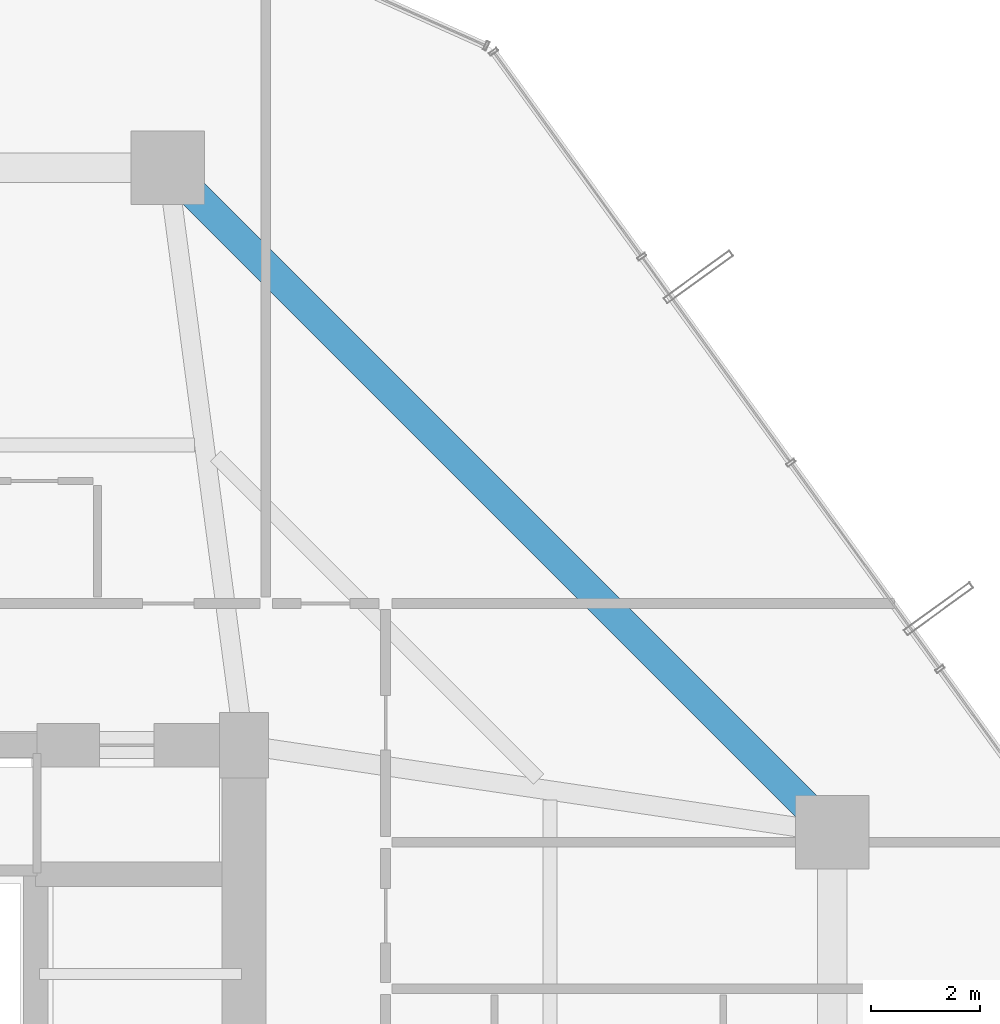
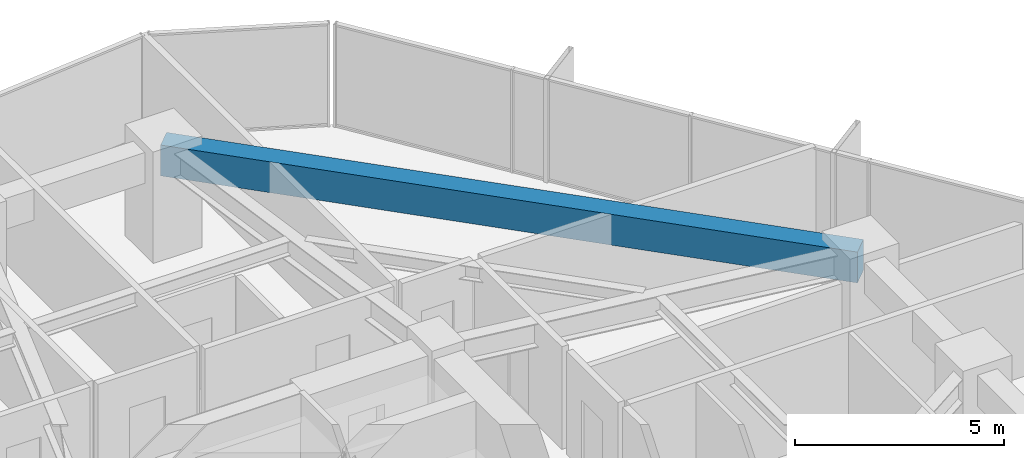
# One storey, part 28 of 37: 1 beam.
"""IFC4 building model written with IfcOpenShell, lengths in metres."""

import ifcopenshell
import ifcopenshell.guid

model = None  # the IFC model being written
_history = None  # IfcOwnerHistory: only IFC2X3 demands one
_inside = {}  # id of a spatial element -> (the spatial element, [elements in it])
_under = {}  # id of a project, library or spatial element -> (it, [spatial elements below it])
_declared = {}  # id of a project -> (the project, [libraries it declares])
_typed = {}  # id of a type object -> (the type object, [elements of that type])
_made_of = {}  # id of a material, layer set ... -> (it, [elements and type objects made of it])


def new_model(schema):
    """Start an empty IFC model of exactly this schema.

    Asked for "IFC4X3", IfcOpenShell would pick the latest addendum, in which some entities
    have other attributes; the version numbers below select the first issue.
    IFC2X3 requires an IfcOwnerHistory on every rooted entity: one is made here for all.
    """
    global model, _history
    if schema == "IFC4X3":
        model = ifcopenshell.file(schema_version=(4, 3, 0, 0))
    else:
        model = ifcopenshell.file(schema=schema)
    _inside.clear()
    _under.clear()
    _declared.clear()
    _typed.clear()
    _made_of.clear()
    _history = None
    if model.schema == "IFC2X3":
        org = make("IfcOrganization", Name="unknown")
        user = make(
            "IfcPersonAndOrganization",
            ThePerson=make("IfcPerson", FamilyName="unknown"),
            TheOrganization=org,
        )
        app = make(
            "IfcApplication",
            ApplicationDeveloper=org,
            Version="unknown",
            ApplicationFullName="unknown",
            ApplicationIdentifier="unknown",
        )
        _history = make(
            "IfcOwnerHistory",
            OwningUser=user,
            OwningApplication=app,
            ChangeAction="ADDED",
            CreationDate=0,
        )
    return model


def make(cls, **values):
    """One entity of the class cls with the attributes given. An attribute that is None is left unset."""
    return model.create_entity(
        cls, **{name: value for name, value in values.items() if value is not None}
    )


def rooted(cls, **values):
    """An entity with a GlobalId (a new one), such as an element, a storey or a relation."""
    return make(cls, GlobalId=ifcopenshell.guid.new(), OwnerHistory=_history, **values)


def si_unit(unit_type, name, prefix=None):
    """IfcSIUnit, for example si_unit("LENGTHUNIT", "METRE", prefix="MILLI")."""
    return make("IfcSIUnit", UnitType=unit_type, Prefix=prefix, Name=name)


def assignment(units):
    """IfcUnitAssignment: the units of a project."""
    return None if units is None else make("IfcUnitAssignment", Units=units)


def point(xyz):
    """IfcCartesianPoint."""
    return None if xyz is None else make("IfcCartesianPoint", Coordinates=xyz)


def direction(xyz):
    """IfcDirection."""
    return None if xyz is None else make("IfcDirection", DirectionRatios=xyz)


def frame(location, z_axis=None, x_axis=None):
    """IfcAxis2Placement3D, a coordinate frame: its origin and axes. An axis left out is left unset."""
    return make(
        "IfcAxis2Placement3D",
        Location=point(location),
        Axis=direction(z_axis),
        RefDirection=direction(x_axis),
    )


def frame_2d(location, x_axis=None):
    """IfcAxis2Placement2D, a coordinate frame in the plane: its origin and x axis."""
    return make(
        "IfcAxis2Placement2D", Location=point(location), RefDirection=direction(x_axis)
    )


def origin():
    """The frame at (0, 0, 0) with its axes left unset."""
    return frame((0.0, 0.0, 0.0))


def origin_2d():
    """The frame at (0, 0) in the plane with its x axis left unset."""
    return frame_2d((0.0, 0.0))


def place(relative_to, where):
    """IfcLocalPlacement: puts the frame where relative to a parent placement (None: the world)."""
    return make(
        "IfcLocalPlacement", PlacementRelTo=relative_to, RelativePlacement=where
    )


def context(
    kind, dimensions, precision=None, world=None, true_north=None, identifier=None
):
    """IfcGeometricRepresentationContext, for example the 3D "Model" context."""
    return make(
        "IfcGeometricRepresentationContext",
        ContextIdentifier=identifier,
        ContextType=kind,
        CoordinateSpaceDimension=dimensions,
        Precision=precision,
        WorldCoordinateSystem=world,
        TrueNorth=true_north,
    )


def subcontext(parent, identifier, kind, view, scale=None):
    """IfcGeometricRepresentationSubContext, for example "Body" below "Model"."""
    return make(
        "IfcGeometricRepresentationSubContext",
        ContextIdentifier=identifier,
        ContextType=kind,
        ParentContext=parent,
        TargetScale=scale,
        TargetView=view,
    )


def project(units=None, contexts=None):
    """IfcProject with its units and contexts."""
    return rooted(
        "IfcProject",
        Name="project",
        RepresentationContexts=contexts,
        UnitsInContext=assignment(units),
    )


def spatial(cls, under=None, at=None, **own):
    """A site, building, storey or space (cls), placed at a placement, below another one or the project."""
    s = rooted(cls, ObjectPlacement=at, **own)
    if under is not None:
        _under.setdefault(under.id(), (under, []))[1].append(s)
    return s


def profile(cls, at=None, kind="AREA", **sizes):
    """A parametric profile (cls). Its sizes go by their IFC names, for example OverallWidth=200.0."""
    return make(cls, ProfileType=kind, Position=at, **sizes)


def rectangle(**sizes):
    """IfcRectangleProfileDef."""
    return profile("IfcRectangleProfileDef", **sizes)


def extrude(swept, where, along, depth):
    """IfcExtrudedAreaSolid: the profile swept, set in the frame where, extruded along a direction by depth."""
    return make(
        "IfcExtrudedAreaSolid",
        SweptArea=swept,
        Position=where,
        ExtrudedDirection=direction(along),
        Depth=depth,
    )


def shape(context_of_items, identifier, shape_type, items):
    """IfcShapeRepresentation: the items that make up one representation, for example the "Body"."""
    return make(
        "IfcShapeRepresentation",
        ContextOfItems=context_of_items,
        RepresentationIdentifier=identifier,
        RepresentationType=shape_type,
        Items=items,
    )


def material(Name=None, Category=None):
    """IfcMaterial."""
    return make("IfcMaterial", Name=Name, Category=Category)


def material_profile(
    of_material, cross_section, Name=None, Category=None, Priority=None
):
    """IfcMaterialProfile: a cross section and its material."""
    return make(
        "IfcMaterialProfile",
        Name=Name,
        Material=of_material,
        Profile=cross_section,
        Priority=Priority,
        Category=Category,
    )


def profile_set(profiles, Name=None, composite=None):
    """IfcMaterialProfileSet."""
    return make(
        "IfcMaterialProfileSet",
        Name=Name,
        MaterialProfiles=profiles,
        CompositeProfile=composite,
    )


def made_of(thing, what):
    """Note that an element or type object is made of a material, layer set ...; save() writes the relation."""
    if what is not None:
        _made_of.setdefault(what.id(), (what, []))[1].append(thing)
    return thing


def type_object(cls, material=None, **own):
    """A type object (cls), such as IfcWallType, which elements share."""
    return made_of(rooted(cls, **own), material)


def element(
    cls,
    number,
    at=None,
    inside=None,
    cuts=None,
    type_object=None,
    material=None,
    context=None,
    identifier="Body",
    shape_type=None,
    held_by="IfcProductDefinitionShape",
    body=None,
    shapes=None,
    **own,
):
    """One element of the class cls, such as IfcWall. Its Tag is "e" and its number.

    at: its placement. inside: the storey or other place that contains it. cuts: it is an
    opening in that element (IfcRelVoidsElement). A single representation is given by context,
    identifier, shape_type and body (its items); several are given by shapes. held_by: the class
    of the entity that holds the representations. save() writes the other relations.
    """
    e = rooted(cls, Tag="e%d" % number, ObjectPlacement=at, **own)
    if body is not None:
        shapes = [shape(context, identifier, shape_type, body)]
    if shapes is not None:
        e.Representation = make(held_by, Representations=shapes)
    if inside is not None:
        _inside.setdefault(inside.id(), (inside, []))[1].append(e)
    if cuts is not None:
        rooted(
            "IfcRelVoidsElement", RelatingBuildingElement=cuts, RelatedOpeningElement=e
        )
    if type_object is not None:
        _typed.setdefault(type_object.id(), (type_object, []))[1].append(e)
    return made_of(e, material)


def aggregate(whole, parts):
    """IfcRelAggregates: a whole, such as a stair, and the parts it consists of."""
    return rooted("IfcRelAggregates", RelatingObject=whole, RelatedObjects=parts)


def save(model, path):
    """Write the relations noted so far, then the file.

    IfcRelAggregates (storeys below a building ...), IfcRelContainedInSpatialStructure (elements
    in a storey), IfcRelDefinesByType, IfcRelAssociatesMaterial and IfcRelDeclares: one each for
    every whole, place, type object, material and project.
    """
    for whole, parts in _under.values():
        aggregate(whole, parts)
    for where, things in _inside.values():
        rooted(
            "IfcRelContainedInSpatialStructure",
            RelatedElements=things,
            RelatingStructure=where,
        )
    for kind, things in _typed.values():
        rooted("IfcRelDefinesByType", RelatedObjects=things, RelatingType=kind)
    for what, things in _made_of.values():
        rooted("IfcRelAssociatesMaterial", RelatedObjects=things, RelatingMaterial=what)
    for by, libraries in _declared.values():
        rooted("IfcRelDeclares", RelatingContext=by, RelatedDefinitions=libraries)
    model.write(path)


model = new_model("IFC4")

# Units and contexts
model_context = context("Model", 3, precision=1e-05, world=origin(), true_north=direction((0.0, 1.0)))
body_context = subcontext(model_context, "Body", "Model", "MODEL_VIEW")
ifc_project = project(units=[si_unit("LENGTHUNIT", "METRE"), si_unit("AREAUNIT", "SQUARE_METRE"), si_unit("VOLUMEUNIT", "CUBIC_METRE"), si_unit("PLANEANGLEUNIT", "RADIAN"), si_unit("MASSUNIT", "GRAM", prefix="KILO")], contexts=[model_context])

# Site, building, storey
site_placement = place(None, origin())
site = spatial("IfcSite", under=ifc_project, at=site_placement, CompositionType="ELEMENT")
building_placement = place(site_placement, origin())
building = spatial("IfcBuilding", under=site, at=building_placement, Name="Veraguas Prism Commons", CompositionType="ELEMENT")
storey_placement = place(building_placement, frame((0.0, 0.0, 43.550048828125)))
storey = spatial("IfcBuildingStorey", under=building, at=storey_placement, Name="L11", CompositionType="ELEMENT", Elevation=43.550048828125)

# Beam
ifc_material = material(Name="Concrete C50/60", Category="concrete")
ifc_material_profile = material_profile(ifc_material, rectangle(XDim=0.550048828125, YDim=0.89990234375, at=origin_2d()), Name="RC550X900")
ifc_profile_set = profile_set([ifc_material_profile], Name="Concrete C50/60")
beam_type = type_object("IfcBeamType", Name="Perimeter Spandrel Lower RC 550x900", PredefinedType="SPANDREL", material=ifc_profile_set)
beam_placement = place(storey_placement, frame((41.60009765625, 29.39990234375, 2.550048828125), z_axis=(-0.707106781187, 0.707106781187, 0.0), x_axis=(-0.707106781187, -0.707106781187, 0.0)))
element("IfcBeam", 1, at=beam_placement, inside=storey, type_object=beam_type, Name="Perimeter Spandrel Beam L11-SP03", PredefinedType="SPANDREL", context=body_context, shape_type="SweptSolid", body=[
    extrude(rectangle(XDim=0.550048828125, YDim=0.89990234375, at=origin_2d()), origin(), (0.0, 0.0, 1.0), 17.253662109375),
])

save(model, "model.ifc")
